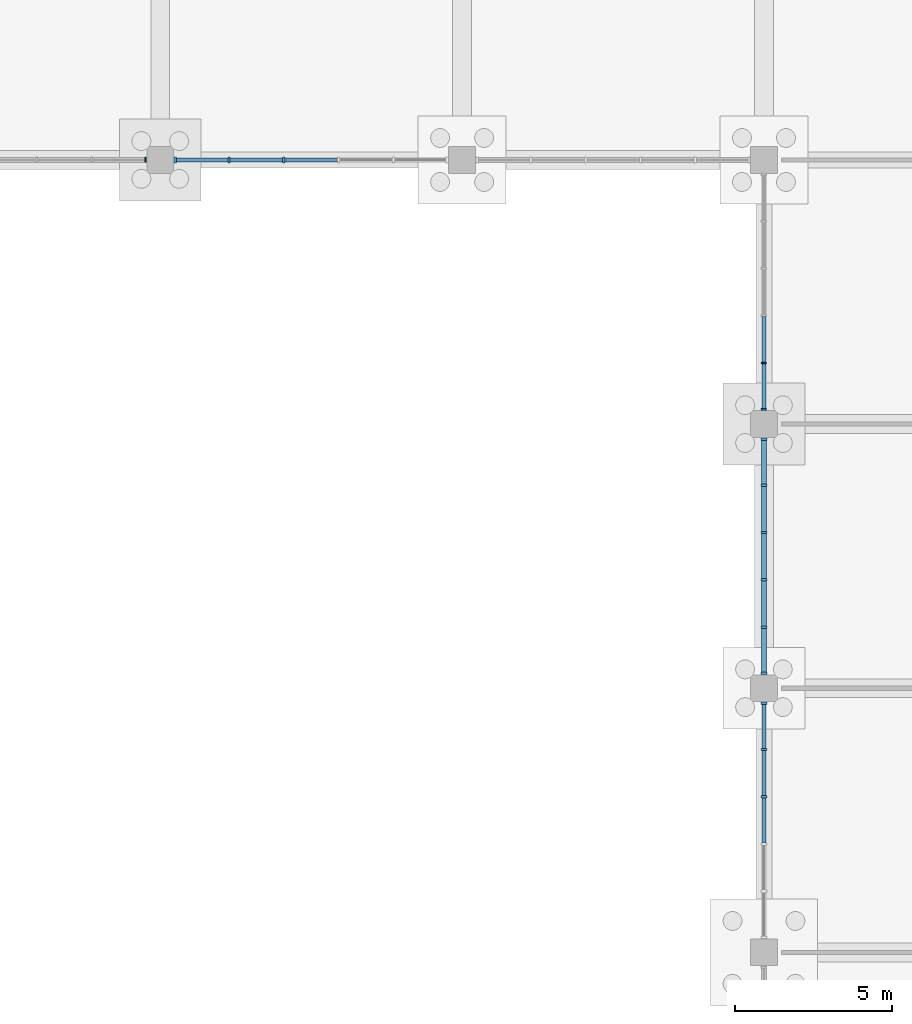
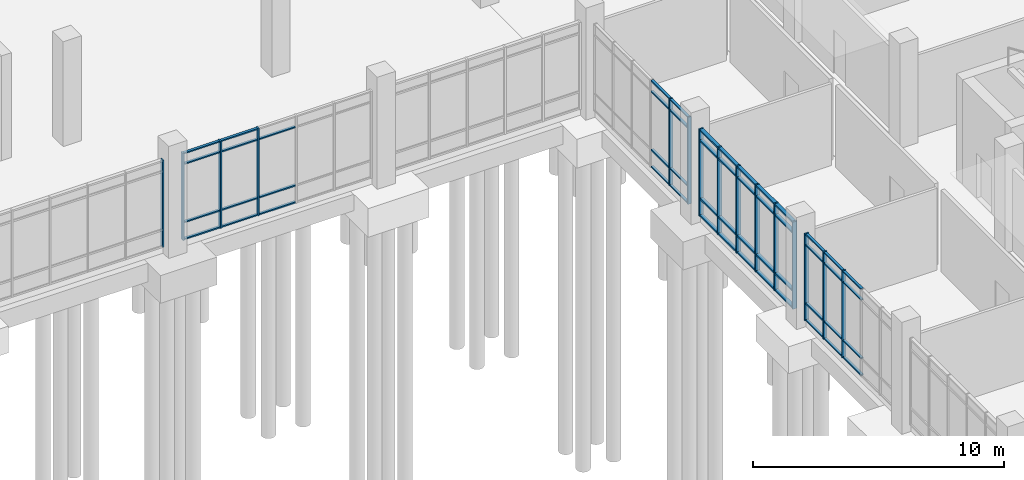
# One storey, part 43 of 136: 66 members, 5 elements without a shape of their own.
"""IFC4 building model written with IfcOpenShell, lengths in metres."""

from ifc_helpers import new_model, si_unit, direction, frame, origin, origin_2d, place, context, subcontext, project, spatial, rectangle, extrude, material, material_profile, profile_set, type_object, element, aggregate, save


model = new_model("IFC4")

# Units and contexts
model_context = context("Model", 3, precision=1e-05, world=origin(), true_north=direction((0.0, 1.0)))
body_context = subcontext(model_context, "Body", "Model", "MODEL_VIEW")
ifc_project = project(units=[si_unit("LENGTHUNIT", "METRE"), si_unit("AREAUNIT", "SQUARE_METRE"), si_unit("VOLUMEUNIT", "CUBIC_METRE"), si_unit("PLANEANGLEUNIT", "RADIAN"), si_unit("MASSUNIT", "GRAM", prefix="KILO")], contexts=[model_context])

# Site, building, storey
site_placement = place(None, origin())
site = spatial("IfcSite", under=ifc_project, at=site_placement, CompositionType="ELEMENT")
building_placement = place(site_placement, origin())
building = spatial("IfcBuilding", under=site, at=building_placement, Name="Oolite Switchyard Hospital", CompositionType="ELEMENT")
storey_placement = place(building_placement, origin())
storey = spatial("IfcBuildingStorey", under=building, at=storey_placement, Name="L00", CompositionType="ELEMENT", Elevation=0.0)

# Curtain wall, member
ifc_material_1 = material(Name="Thermally broken aluminum frame with laminated impact glazing", Category="aluminium")
curtain_wall_type_1 = type_object("IfcCurtainWallType", Name="CW-UNIT-96X51", PredefinedType="USERDEFINED", material=ifc_material_1)
curtain_wall_1_placement = place(storey_placement, origin())
curtain_wall_1 = element("IfcCurtainWall", 1, at=curtain_wall_1_placement, inside=storey, type_object=curtain_wall_type_1, Name="L00 Unitised Curtain Wall 33", ObjectType="UNITISED", PredefinedType="USERDEFINED")
ifc_material_2 = material(Name="Aluminium 6063-T6", Category="aluminium")
ifc_material_profile_1 = material_profile(ifc_material_2, rectangle(XDim=0.159912109375, YDim=0.06005859375, at=origin_2d()), Name="CWM60X160")
ifc_profile_set_1 = profile_set([ifc_material_profile_1], Name="Aluminium 6063-T6")
member_type_1 = type_object("IfcMemberType", Name="CW-MUL-180", PredefinedType="MULLION", material=ifc_profile_set_1)
member_1_placement = place(storey_placement, frame((95.530029296875, 84.0, 0.0), z_axis=(0.0, 0.0, 1.0), x_axis=(0.0, -1.0, 0.0)))
member_1 = element("IfcMember", 2, at=member_1_placement, type_object=member_type_1, Name="CW-01 mullion 1", PredefinedType="MULLION", context=body_context, shape_type="SweptSolid", body=[
    extrude(rectangle(XDim=0.159912109375, YDim=0.06005859375, at=origin_2d()), origin(), (0.0, 0.0, 1.0), 4.239990234375),
])
aggregate(curtain_wall_1, [member_1])

# Curtain wall, members
curtain_wall_type_2 = type_object("IfcCurtainWallType", Name="CW-UNIT-84X51", PredefinedType="USERDEFINED", material=ifc_material_1)
curtain_wall_2_placement = place(storey_placement, origin())
curtain_wall_2 = element("IfcCurtainWall", 3, at=curtain_wall_2_placement, inside=storey, type_object=curtain_wall_type_2, Name="L00 Unitised Curtain Wall 72", ObjectType="UNITISED", PredefinedType="USERDEFINED")
member_2_placement = place(storey_placement, frame((115.199951171875, 76.070068359375, 0.0), z_axis=(0.0, 0.0, 1.0), x_axis=(-1.0, 0.0, 0.0)))
member_2 = element("IfcMember", 4, at=member_2_placement, type_object=member_type_1, Name="CW-06 mullion 1", PredefinedType="MULLION", context=body_context, shape_type="SweptSolid", body=[
    extrude(rectangle(XDim=0.159912109375, YDim=0.06005859375, at=origin_2d()), origin(), (0.0, 0.0, 1.0), 4.239990234375),
])
member_3_placement = place(storey_placement, frame((115.199951171875, 77.5439453125, 0.0), z_axis=(0.0, 0.0, 1.0), x_axis=(-1.0, 0.0, 0.0)))
member_3 = element("IfcMember", 5, at=member_3_placement, type_object=member_type_1, Name="CW-06 mullion 2", PredefinedType="MULLION", context=body_context, shape_type="SweptSolid", body=[
    extrude(rectangle(XDim=0.159912109375, YDim=0.06005859375, at=origin_2d()), origin(), (0.0, 0.0, 1.0), 4.239990234375),
])

curtain_wall_3_placement = place(storey_placement, origin())
curtain_wall_3 = element("IfcCurtainWall", 6, at=curtain_wall_3_placement, inside=storey, type_object=curtain_wall_type_1, Name="L00 Unitised Curtain Wall 34", ObjectType="UNITISED", PredefinedType="USERDEFINED")
ifc_material_profile_2 = material_profile(ifc_material_2, rectangle(XDim=0.179931640625, YDim=0.070068359375, at=origin_2d()), Name="CWM70X180")
ifc_profile_set_2 = profile_set([ifc_material_profile_2], Name="Aluminium 6063-T6")
member_type_2 = type_object("IfcMemberType", Name="CW-MUL-220", PredefinedType="MULLION", material=ifc_profile_set_2)
member_4_placement = place(storey_placement, frame((99.927978515625, 84.0, 0.0), z_axis=(0.0, 0.0, 1.0), x_axis=(0.0, -1.0, 0.0)))
member_4 = element("IfcMember", 7, at=member_4_placement, type_object=member_type_2, Name="CW-01 mullion 4", PredefinedType="MULLION", context=body_context, shape_type="SweptSolid", body=[
    extrude(rectangle(XDim=0.179931640625, YDim=0.070068359375, at=origin_2d()), origin(), (0.0, 0.0, 1.0), 4.239990234375),
])
member_5_placement = place(storey_placement, frame((98.18408203125, 84.0, 0.0), z_axis=(0.0, 0.0, 1.0), x_axis=(0.0, -1.0, 0.0)))
member_5 = element("IfcMember", 8, at=member_5_placement, type_object=member_type_2, Name="CW-01 mullion 5", PredefinedType="MULLION", context=body_context, shape_type="SweptSolid", body=[
    extrude(rectangle(XDim=0.179931640625, YDim=0.070068359375, at=origin_2d()), origin(), (0.0, 0.0, 1.0), 4.239990234375),
])
member_6_placement = place(storey_placement, frame((96.47509765625, 84.0, 0.0), z_axis=(0.0, 0.0, 1.0), x_axis=(0.0, -1.0, 0.0)))
member_6 = element("IfcMember", 9, at=member_6_placement, type_object=member_type_2, Name="CW-01 mullion 6", PredefinedType="MULLION", context=body_context, shape_type="SweptSolid", body=[
    extrude(rectangle(XDim=0.179931640625, YDim=0.070068359375, at=origin_2d()), origin(), (0.0, 0.0, 1.0), 4.239990234375),
])

curtain_wall_4_placement = place(storey_placement, origin())
curtain_wall_4 = element("IfcCurtainWall", 10, at=curtain_wall_4_placement, inside=storey, type_object=curtain_wall_type_2, Name="L00 Unitised Curtain Wall 70", ObjectType="UNITISED", PredefinedType="USERDEFINED")
member_7_placement = place(storey_placement, frame((115.199951171875, 63.751953125, 0.0), z_axis=(0.0, 0.0, 1.0), x_axis=(-1.0, 0.0, 0.0)))
member_7 = element("IfcMember", 11, at=member_7_placement, type_object=member_type_2, Name="CW-06 mullion 4", PredefinedType="MULLION", context=body_context, shape_type="SweptSolid", body=[
    extrude(rectangle(XDim=0.179931640625, YDim=0.070068359375, at=origin_2d()), origin(), (0.0, 0.0, 1.0), 4.239990234375),
])
member_8_placement = place(storey_placement, frame((115.199951171875, 65.256103515625, 0.0), z_axis=(0.0, 0.0, 1.0), x_axis=(-1.0, 0.0, 0.0)))
member_8 = element("IfcMember", 12, at=member_8_placement, type_object=member_type_2, Name="CW-06 mullion 5", PredefinedType="MULLION", context=body_context, shape_type="SweptSolid", body=[
    extrude(rectangle(XDim=0.179931640625, YDim=0.070068359375, at=origin_2d()), origin(), (0.0, 0.0, 1.0), 4.239990234375),
])
member_9_placement = place(storey_placement, frame((115.199951171875, 66.72509765625, 0.0), z_axis=(0.0, 0.0, 1.0), x_axis=(-1.0, 0.0, 0.0)))
member_9 = element("IfcMember", 13, at=member_9_placement, type_object=member_type_2, Name="CW-06 mullion 6", PredefinedType="MULLION", context=body_context, shape_type="SweptSolid", body=[
    extrude(rectangle(XDim=0.179931640625, YDim=0.070068359375, at=origin_2d()), origin(), (0.0, 0.0, 1.0), 4.239990234375),
])

curtain_wall_5_placement = place(storey_placement, origin())
curtain_wall_5 = element("IfcCurtainWall", 14, at=curtain_wall_5_placement, inside=storey, type_object=curtain_wall_type_2, Name="L00 Unitised Curtain Wall 71", ObjectType="UNITISED", PredefinedType="USERDEFINED")
ifc_material_profile_3 = material_profile(ifc_material_2, rectangle(XDim=0.199951171875, YDim=0.074951171875, at=origin_2d()), Name="CWM75X200")
ifc_profile_set_3 = profile_set([ifc_material_profile_3], Name="Aluminium 6063-T6")
member_type_3 = type_object("IfcMemberType", Name="CW-MUL-260", PredefinedType="MULLION", material=ifc_profile_set_3)
member_10_placement = place(storey_placement, frame((115.199951171875, 67.677490234375, 0.0), z_axis=(0.0, 0.0, 1.0), x_axis=(-1.0, 0.0, 0.0)))
member_10 = element("IfcMember", 15, at=member_10_placement, type_object=member_type_3, Name="CW-06 mullion 1", PredefinedType="MULLION", context=body_context, shape_type="SweptSolid", body=[
    extrude(rectangle(XDim=0.199951171875, YDim=0.074951171875, at=origin_2d()), origin(), (0.0, 0.0, 1.0), 4.239990234375),
])
member_11_placement = place(storey_placement, frame((115.199951171875, 69.14404296875, 0.0), z_axis=(0.0, 0.0, 1.0), x_axis=(-1.0, 0.0, 0.0)))
member_11 = element("IfcMember", 16, at=member_11_placement, type_object=member_type_3, Name="CW-06 mullion 2", PredefinedType="MULLION", context=body_context, shape_type="SweptSolid", body=[
    extrude(rectangle(XDim=0.199951171875, YDim=0.074951171875, at=origin_2d()), origin(), (0.0, 0.0, 1.0), 4.239990234375),
])
member_12_placement = place(storey_placement, frame((115.199951171875, 70.64794921875, 0.0), z_axis=(0.0, 0.0, 1.0), x_axis=(-1.0, 0.0, 0.0)))
member_12 = element("IfcMember", 17, at=member_12_placement, type_object=member_type_3, Name="CW-06 mullion 3", PredefinedType="MULLION", context=body_context, shape_type="SweptSolid", body=[
    extrude(rectangle(XDim=0.199951171875, YDim=0.074951171875, at=origin_2d()), origin(), (0.0, 0.0, 1.0), 4.239990234375),
])
member_13_placement = place(storey_placement, frame((115.199951171875, 72.152099609375, 0.0), z_axis=(0.0, 0.0, 1.0), x_axis=(-1.0, 0.0, 0.0)))
member_13 = element("IfcMember", 18, at=member_13_placement, type_object=member_type_3, Name="CW-06 mullion 4", PredefinedType="MULLION", context=body_context, shape_type="SweptSolid", body=[
    extrude(rectangle(XDim=0.199951171875, YDim=0.074951171875, at=origin_2d()), origin(), (0.0, 0.0, 1.0), 4.239990234375),
])
member_14_placement = place(storey_placement, frame((115.199951171875, 73.656005859375, 0.0), z_axis=(0.0, 0.0, 1.0), x_axis=(-1.0, 0.0, 0.0)))
member_14 = element("IfcMember", 19, at=member_14_placement, type_object=member_type_3, Name="CW-06 mullion 5", PredefinedType="MULLION", context=body_context, shape_type="SweptSolid", body=[
    extrude(rectangle(XDim=0.199951171875, YDim=0.074951171875, at=origin_2d()), origin(), (0.0, 0.0, 1.0), 4.239990234375),
])
member_15_placement = place(storey_placement, frame((115.199951171875, 75.12255859375, 0.0), z_axis=(0.0, 0.0, 1.0), x_axis=(-1.0, 0.0, 0.0)))
member_15 = element("IfcMember", 20, at=member_15_placement, type_object=member_type_3, Name="CW-06 mullion 6", PredefinedType="MULLION", context=body_context, shape_type="SweptSolid", body=[
    extrude(rectangle(XDim=0.199951171875, YDim=0.074951171875, at=origin_2d()), origin(), (0.0, 0.0, 1.0), 4.239990234375),
])

# Member
ifc_material_profile_4 = material_profile(ifc_material_2, rectangle(XDim=0.1201171875, YDim=0.06005859375, at=origin_2d()), Name="CWT60X120")
ifc_profile_set_4 = profile_set([ifc_material_profile_4], Name="Aluminium 6063-T6")
member_type_4 = type_object("IfcMemberType", Name="CW-TRN-150", PredefinedType="USERDEFINED", material=ifc_profile_set_4)
member_16_placement = place(storey_placement, frame((101.636962890625, 84.0, 0.030029296875), z_axis=(-1.0, 0.0, 0.0), x_axis=(0.0, -1.0, 0.0)))
member_16 = element("IfcMember", 21, at=member_16_placement, type_object=member_type_4, Name="CW-01 transom 3.1", ObjectType="TRANSOM", PredefinedType="USERDEFINED", context=body_context, shape_type="SweptSolid", body=[
    extrude(rectangle(XDim=0.1201171875, YDim=0.06005859375, at=origin_2d()), origin(), (0.0, 0.0, 1.0), 1.674072265625),
])

member_17_placement = place(storey_placement, frame((101.636962890625, 84.0, 0.85009765625), z_axis=(-1.0, 0.0, 0.0), x_axis=(0.0, -1.0, 0.0)))
member_17 = element("IfcMember", 22, at=member_17_placement, type_object=member_type_4, Name="CW-01 transom 3.2", ObjectType="TRANSOM", PredefinedType="USERDEFINED", context=body_context, shape_type="SweptSolid", body=[
    extrude(rectangle(XDim=0.1201171875, YDim=0.06005859375, at=origin_2d()), origin(), (0.0, 0.0, 1.0), 1.674072265625),
])

member_18_placement = place(storey_placement, frame((101.636962890625, 84.0, 3.68994140625), z_axis=(-1.0, 0.0, 0.0), x_axis=(0.0, -1.0, 0.0)))
member_18 = element("IfcMember", 23, at=member_18_placement, type_object=member_type_4, Name="CW-01 transom 3.3", ObjectType="TRANSOM", PredefinedType="USERDEFINED", context=body_context, shape_type="SweptSolid", body=[
    extrude(rectangle(XDim=0.1201171875, YDim=0.06005859375, at=origin_2d()), origin(), (0.0, 0.0, 1.0), 1.674072265625),
])

member_19_placement = place(storey_placement, frame((99.89306640625, 84.0, 0.030029296875), z_axis=(-1.0, 0.0, 0.0), x_axis=(0.0, -1.0, 0.0)))
member_19 = element("IfcMember", 24, at=member_19_placement, type_object=member_type_4, Name="CW-01 transom 4.1", ObjectType="TRANSOM", PredefinedType="USERDEFINED", context=body_context, shape_type="SweptSolid", body=[
    extrude(rectangle(XDim=0.1201171875, YDim=0.06005859375, at=origin_2d()), origin(), (0.0, 0.0, 1.0), 1.674072265625),
])

member_20_placement = place(storey_placement, frame((99.89306640625, 84.0, 0.85009765625), z_axis=(-1.0, 0.0, 0.0), x_axis=(0.0, -1.0, 0.0)))
member_20 = element("IfcMember", 25, at=member_20_placement, type_object=member_type_4, Name="CW-01 transom 4.2", ObjectType="TRANSOM", PredefinedType="USERDEFINED", context=body_context, shape_type="SweptSolid", body=[
    extrude(rectangle(XDim=0.1201171875, YDim=0.06005859375, at=origin_2d()), origin(), (0.0, 0.0, 1.0), 1.674072265625),
])

member_21_placement = place(storey_placement, frame((99.89306640625, 84.0, 3.68994140625), z_axis=(-1.0, 0.0, 0.0), x_axis=(0.0, -1.0, 0.0)))
member_21 = element("IfcMember", 26, at=member_21_placement, type_object=member_type_4, Name="CW-01 transom 4.3", ObjectType="TRANSOM", PredefinedType="USERDEFINED", context=body_context, shape_type="SweptSolid", body=[
    extrude(rectangle(XDim=0.1201171875, YDim=0.06005859375, at=origin_2d()), origin(), (0.0, 0.0, 1.0), 1.674072265625),
])

member_22_placement = place(storey_placement, frame((99.89306640625, 84.0, 4.2099609375), z_axis=(-1.0, 0.0, 0.0), x_axis=(0.0, -1.0, 0.0)))
member_22 = element("IfcMember", 27, at=member_22_placement, type_object=member_type_4, Name="CW-01 transom 4.4", ObjectType="TRANSOM", PredefinedType="USERDEFINED", context=body_context, shape_type="SweptSolid", body=[
    extrude(rectangle(XDim=0.1201171875, YDim=0.06005859375, at=origin_2d()), origin(), (0.0, 0.0, 1.0), 1.674072265625),
])

member_23_placement = place(storey_placement, frame((98.14892578125, 84.0, 0.030029296875), z_axis=(-1.0, 0.0, 0.0), x_axis=(0.0, -1.0, 0.0)))
member_23 = element("IfcMember", 28, at=member_23_placement, type_object=member_type_4, Name="CW-01 transom 5.1", ObjectType="TRANSOM", PredefinedType="USERDEFINED", context=body_context, shape_type="SweptSolid", body=[
    extrude(rectangle(XDim=0.1201171875, YDim=0.06005859375, at=origin_2d()), origin(), (0.0, 0.0, 1.0), 1.638916015625),
])

member_24_placement = place(storey_placement, frame((98.14892578125, 84.0, 0.85009765625), z_axis=(-1.0, 0.0, 0.0), x_axis=(0.0, -1.0, 0.0)))
member_24 = element("IfcMember", 29, at=member_24_placement, type_object=member_type_4, Name="CW-01 transom 5.2", ObjectType="TRANSOM", PredefinedType="USERDEFINED", context=body_context, shape_type="SweptSolid", body=[
    extrude(rectangle(XDim=0.1201171875, YDim=0.06005859375, at=origin_2d()), origin(), (0.0, 0.0, 1.0), 1.638916015625),
])

member_25_placement = place(storey_placement, frame((98.14892578125, 84.0, 3.68994140625), z_axis=(-1.0, 0.0, 0.0), x_axis=(0.0, -1.0, 0.0)))
member_25 = element("IfcMember", 30, at=member_25_placement, type_object=member_type_4, Name="CW-01 transom 5.3", ObjectType="TRANSOM", PredefinedType="USERDEFINED", context=body_context, shape_type="SweptSolid", body=[
    extrude(rectangle(XDim=0.1201171875, YDim=0.06005859375, at=origin_2d()), origin(), (0.0, 0.0, 1.0), 1.638916015625),
])

member_26_placement = place(storey_placement, frame((98.14892578125, 84.0, 4.2099609375), z_axis=(-1.0, 0.0, 0.0), x_axis=(0.0, -1.0, 0.0)))
member_26 = element("IfcMember", 31, at=member_26_placement, type_object=member_type_4, Name="CW-01 transom 5.4", ObjectType="TRANSOM", PredefinedType="USERDEFINED", context=body_context, shape_type="SweptSolid", body=[
    extrude(rectangle(XDim=0.1201171875, YDim=0.06005859375, at=origin_2d()), origin(), (0.0, 0.0, 1.0), 1.638916015625),
])

aggregate(curtain_wall_3, [member_4, member_5, member_6, member_16, member_17, member_18, member_19, member_20, member_21, member_22, member_23, member_24, member_25, member_26])

member_27_placement = place(storey_placement, frame((115.199951171875, 62.282958984375, 0.030029296875), z_axis=(0.0, 1.0, 0.0), x_axis=(-1.0, 0.0, 0.0)))
member_27 = element("IfcMember", 32, at=member_27_placement, type_object=member_type_4, Name="CW-06 transom 3.1", ObjectType="TRANSOM", PredefinedType="USERDEFINED", context=body_context, shape_type="SweptSolid", body=[
    extrude(rectangle(XDim=0.1201171875, YDim=0.06005859375, at=origin_2d()), origin(), (0.0, 0.0, 1.0), 1.43408203125),
])

member_28_placement = place(storey_placement, frame((115.199951171875, 62.282958984375, 0.85009765625), z_axis=(0.0, 1.0, 0.0), x_axis=(-1.0, 0.0, 0.0)))
member_28 = element("IfcMember", 33, at=member_28_placement, type_object=member_type_4, Name="CW-06 transom 3.2", ObjectType="TRANSOM", PredefinedType="USERDEFINED", context=body_context, shape_type="SweptSolid", body=[
    extrude(rectangle(XDim=0.1201171875, YDim=0.06005859375, at=origin_2d()), origin(), (0.0, 0.0, 1.0), 1.43408203125),
])

member_29_placement = place(storey_placement, frame((115.199951171875, 62.282958984375, 3.68994140625), z_axis=(0.0, 1.0, 0.0), x_axis=(-1.0, 0.0, 0.0)))
member_29 = element("IfcMember", 34, at=member_29_placement, type_object=member_type_4, Name="CW-06 transom 3.3", ObjectType="TRANSOM", PredefinedType="USERDEFINED", context=body_context, shape_type="SweptSolid", body=[
    extrude(rectangle(XDim=0.1201171875, YDim=0.06005859375, at=origin_2d()), origin(), (0.0, 0.0, 1.0), 1.43408203125),
])

member_30_placement = place(storey_placement, frame((115.199951171875, 62.282958984375, 4.2099609375), z_axis=(0.0, 1.0, 0.0), x_axis=(-1.0, 0.0, 0.0)))
member_30 = element("IfcMember", 35, at=member_30_placement, type_object=member_type_4, Name="CW-06 transom 3.4", ObjectType="TRANSOM", PredefinedType="USERDEFINED", context=body_context, shape_type="SweptSolid", body=[
    extrude(rectangle(XDim=0.1201171875, YDim=0.06005859375, at=origin_2d()), origin(), (0.0, 0.0, 1.0), 1.43408203125),
])

member_31_placement = place(storey_placement, frame((115.199951171875, 63.787109375, 0.030029296875), z_axis=(0.0, 1.0, 0.0), x_axis=(-1.0, 0.0, 0.0)))
member_31 = element("IfcMember", 36, at=member_31_placement, type_object=member_type_4, Name="CW-06 transom 4.1", ObjectType="TRANSOM", PredefinedType="USERDEFINED", context=body_context, shape_type="SweptSolid", body=[
    extrude(rectangle(XDim=0.1201171875, YDim=0.06005859375, at=origin_2d()), origin(), (0.0, 0.0, 1.0), 1.433837890625),
])

member_32_placement = place(storey_placement, frame((115.199951171875, 63.787109375, 0.85009765625), z_axis=(0.0, 1.0, 0.0), x_axis=(-1.0, 0.0, 0.0)))
member_32 = element("IfcMember", 37, at=member_32_placement, type_object=member_type_4, Name="CW-06 transom 4.2", ObjectType="TRANSOM", PredefinedType="USERDEFINED", context=body_context, shape_type="SweptSolid", body=[
    extrude(rectangle(XDim=0.1201171875, YDim=0.06005859375, at=origin_2d()), origin(), (0.0, 0.0, 1.0), 1.433837890625),
])

member_33_placement = place(storey_placement, frame((115.199951171875, 63.787109375, 3.68994140625), z_axis=(0.0, 1.0, 0.0), x_axis=(-1.0, 0.0, 0.0)))
member_33 = element("IfcMember", 38, at=member_33_placement, type_object=member_type_4, Name="CW-06 transom 4.3", ObjectType="TRANSOM", PredefinedType="USERDEFINED", context=body_context, shape_type="SweptSolid", body=[
    extrude(rectangle(XDim=0.1201171875, YDim=0.06005859375, at=origin_2d()), origin(), (0.0, 0.0, 1.0), 1.433837890625),
])

member_34_placement = place(storey_placement, frame((115.199951171875, 63.787109375, 4.2099609375), z_axis=(0.0, 1.0, 0.0), x_axis=(-1.0, 0.0, 0.0)))
member_34 = element("IfcMember", 39, at=member_34_placement, type_object=member_type_4, Name="CW-06 transom 4.4", ObjectType="TRANSOM", PredefinedType="USERDEFINED", context=body_context, shape_type="SweptSolid", body=[
    extrude(rectangle(XDim=0.1201171875, YDim=0.06005859375, at=origin_2d()), origin(), (0.0, 0.0, 1.0), 1.433837890625),
])

member_35_placement = place(storey_placement, frame((115.199951171875, 65.291015625, 0.030029296875), z_axis=(0.0, 1.0, 0.0), x_axis=(-1.0, 0.0, 0.0)))
member_35 = element("IfcMember", 40, at=member_35_placement, type_object=member_type_4, Name="CW-06 transom 5.1", ObjectType="TRANSOM", PredefinedType="USERDEFINED", context=body_context, shape_type="SweptSolid", body=[
    extrude(rectangle(XDim=0.1201171875, YDim=0.06005859375, at=origin_2d()), origin(), (0.0, 0.0, 1.0), 1.39892578125),
])

member_36_placement = place(storey_placement, frame((115.199951171875, 65.291015625, 0.85009765625), z_axis=(0.0, 1.0, 0.0), x_axis=(-1.0, 0.0, 0.0)))
member_36 = element("IfcMember", 41, at=member_36_placement, type_object=member_type_4, Name="CW-06 transom 5.2", ObjectType="TRANSOM", PredefinedType="USERDEFINED", context=body_context, shape_type="SweptSolid", body=[
    extrude(rectangle(XDim=0.1201171875, YDim=0.06005859375, at=origin_2d()), origin(), (0.0, 0.0, 1.0), 1.39892578125),
])

member_37_placement = place(storey_placement, frame((115.199951171875, 65.291015625, 3.68994140625), z_axis=(0.0, 1.0, 0.0), x_axis=(-1.0, 0.0, 0.0)))
member_37 = element("IfcMember", 42, at=member_37_placement, type_object=member_type_4, Name="CW-06 transom 5.3", ObjectType="TRANSOM", PredefinedType="USERDEFINED", context=body_context, shape_type="SweptSolid", body=[
    extrude(rectangle(XDim=0.1201171875, YDim=0.06005859375, at=origin_2d()), origin(), (0.0, 0.0, 1.0), 1.39892578125),
])

member_38_placement = place(storey_placement, frame((115.199951171875, 65.291015625, 4.2099609375), z_axis=(0.0, 1.0, 0.0), x_axis=(-1.0, 0.0, 0.0)))
member_38 = element("IfcMember", 43, at=member_38_placement, type_object=member_type_4, Name="CW-06 transom 5.4", ObjectType="TRANSOM", PredefinedType="USERDEFINED", context=body_context, shape_type="SweptSolid", body=[
    extrude(rectangle(XDim=0.1201171875, YDim=0.06005859375, at=origin_2d()), origin(), (0.0, 0.0, 1.0), 1.39892578125),
])

aggregate(curtain_wall_4, [member_7, member_8, member_9, member_27, member_28, member_29, member_30, member_31, member_32, member_33, member_34, member_35, member_36, member_37, member_38])

member_39_placement = place(storey_placement, frame((115.199951171875, 76.10009765625, 0.030029296875), z_axis=(0.0, 1.0, 0.0), x_axis=(-1.0, 0.0, 0.0)))
member_39 = element("IfcMember", 44, at=member_39_placement, type_object=member_type_4, Name="CW-06 transom 1.1", ObjectType="TRANSOM", PredefinedType="USERDEFINED", context=body_context, shape_type="SweptSolid", body=[
    extrude(rectangle(XDim=0.1201171875, YDim=0.06005859375, at=origin_2d()), origin(), (0.0, 0.0, 1.0), 1.413818359375),
])

member_40_placement = place(storey_placement, frame((115.199951171875, 76.10009765625, 0.85009765625), z_axis=(0.0, 1.0, 0.0), x_axis=(-1.0, 0.0, 0.0)))
member_40 = element("IfcMember", 45, at=member_40_placement, type_object=member_type_4, Name="CW-06 transom 1.2", ObjectType="TRANSOM", PredefinedType="USERDEFINED", context=body_context, shape_type="SweptSolid", body=[
    extrude(rectangle(XDim=0.1201171875, YDim=0.06005859375, at=origin_2d()), origin(), (0.0, 0.0, 1.0), 1.413818359375),
])

member_41_placement = place(storey_placement, frame((115.199951171875, 76.10009765625, 3.68994140625), z_axis=(0.0, 1.0, 0.0), x_axis=(-1.0, 0.0, 0.0)))
member_41 = element("IfcMember", 46, at=member_41_placement, type_object=member_type_4, Name="CW-06 transom 1.3", ObjectType="TRANSOM", PredefinedType="USERDEFINED", context=body_context, shape_type="SweptSolid", body=[
    extrude(rectangle(XDim=0.1201171875, YDim=0.06005859375, at=origin_2d()), origin(), (0.0, 0.0, 1.0), 1.413818359375),
])

member_42_placement = place(storey_placement, frame((115.199951171875, 76.10009765625, 4.2099609375), z_axis=(0.0, 1.0, 0.0), x_axis=(-1.0, 0.0, 0.0)))
member_42 = element("IfcMember", 47, at=member_42_placement, type_object=member_type_4, Name="CW-06 transom 1.4", ObjectType="TRANSOM", PredefinedType="USERDEFINED", context=body_context, shape_type="SweptSolid", body=[
    extrude(rectangle(XDim=0.1201171875, YDim=0.06005859375, at=origin_2d()), origin(), (0.0, 0.0, 1.0), 1.413818359375),
])

member_43_placement = place(storey_placement, frame((115.199951171875, 77.573974609375, 0.030029296875), z_axis=(0.0, 1.0, 0.0), x_axis=(-1.0, 0.0, 0.0)))
member_43 = element("IfcMember", 48, at=member_43_placement, type_object=member_type_4, Name="CW-06 transom 2.1", ObjectType="TRANSOM", PredefinedType="USERDEFINED", context=body_context, shape_type="SweptSolid", body=[
    extrude(rectangle(XDim=0.1201171875, YDim=0.06005859375, at=origin_2d()), origin(), (0.0, 0.0, 1.0), 1.444091796875),
])

member_44_placement = place(storey_placement, frame((115.199951171875, 77.573974609375, 0.85009765625), z_axis=(0.0, 1.0, 0.0), x_axis=(-1.0, 0.0, 0.0)))
member_44 = element("IfcMember", 49, at=member_44_placement, type_object=member_type_4, Name="CW-06 transom 2.2", ObjectType="TRANSOM", PredefinedType="USERDEFINED", context=body_context, shape_type="SweptSolid", body=[
    extrude(rectangle(XDim=0.1201171875, YDim=0.06005859375, at=origin_2d()), origin(), (0.0, 0.0, 1.0), 1.444091796875),
])

member_45_placement = place(storey_placement, frame((115.199951171875, 77.573974609375, 3.68994140625), z_axis=(0.0, 1.0, 0.0), x_axis=(-1.0, 0.0, 0.0)))
member_45 = element("IfcMember", 50, at=member_45_placement, type_object=member_type_4, Name="CW-06 transom 2.3", ObjectType="TRANSOM", PredefinedType="USERDEFINED", context=body_context, shape_type="SweptSolid", body=[
    extrude(rectangle(XDim=0.1201171875, YDim=0.06005859375, at=origin_2d()), origin(), (0.0, 0.0, 1.0), 1.444091796875),
])

member_46_placement = place(storey_placement, frame((115.199951171875, 77.573974609375, 4.2099609375), z_axis=(0.0, 1.0, 0.0), x_axis=(-1.0, 0.0, 0.0)))
member_46 = element("IfcMember", 51, at=member_46_placement, type_object=member_type_4, Name="CW-06 transom 2.4", ObjectType="TRANSOM", PredefinedType="USERDEFINED", context=body_context, shape_type="SweptSolid", body=[
    extrude(rectangle(XDim=0.1201171875, YDim=0.06005859375, at=origin_2d()), origin(), (0.0, 0.0, 1.0), 1.444091796875),
])

aggregate(curtain_wall_2, [member_2, member_3, member_39, member_40, member_41, member_42, member_43, member_44, member_45, member_46])

ifc_material_profile_5 = material_profile(ifc_material_2, rectangle(XDim=0.159912109375, YDim=0.074951171875, at=origin_2d()), Name="CWT75X160")
ifc_profile_set_5 = profile_set([ifc_material_profile_5], Name="Aluminium 6063-T6")
member_type_5 = type_object("IfcMemberType", Name="CW-TRN-180", PredefinedType="USERDEFINED", material=ifc_profile_set_5)
member_47_placement = place(storey_placement, frame((115.199951171875, 67.715087890625, 0.03759765625), z_axis=(0.0, 1.0, 0.0), x_axis=(-1.0, 0.0, 0.0)))
member_47 = element("IfcMember", 52, at=member_47_placement, type_object=member_type_5, Name="CW-06 transom 1.1", ObjectType="TRANSOM", PredefinedType="USERDEFINED", context=body_context, shape_type="SweptSolid", body=[
    extrude(rectangle(XDim=0.159912109375, YDim=0.074951171875, at=origin_2d()), origin(), (0.0, 0.0, 1.0), 1.391357421875),
])

member_48_placement = place(storey_placement, frame((115.199951171875, 67.715087890625, 0.85009765625), z_axis=(0.0, 1.0, 0.0), x_axis=(-1.0, 0.0, 0.0)))
member_48 = element("IfcMember", 53, at=member_48_placement, type_object=member_type_5, Name="CW-06 transom 1.2", ObjectType="TRANSOM", PredefinedType="USERDEFINED", context=body_context, shape_type="SweptSolid", body=[
    extrude(rectangle(XDim=0.159912109375, YDim=0.074951171875, at=origin_2d()), origin(), (0.0, 0.0, 1.0), 1.391357421875),
])

member_49_placement = place(storey_placement, frame((115.199951171875, 67.715087890625, 3.68994140625), z_axis=(0.0, 1.0, 0.0), x_axis=(-1.0, 0.0, 0.0)))
member_49 = element("IfcMember", 54, at=member_49_placement, type_object=member_type_5, Name="CW-06 transom 1.3", ObjectType="TRANSOM", PredefinedType="USERDEFINED", context=body_context, shape_type="SweptSolid", body=[
    extrude(rectangle(XDim=0.159912109375, YDim=0.074951171875, at=origin_2d()), origin(), (0.0, 0.0, 1.0), 1.391357421875),
])

member_50_placement = place(storey_placement, frame((115.199951171875, 67.715087890625, 4.202392578125), z_axis=(0.0, 1.0, 0.0), x_axis=(-1.0, 0.0, 0.0)))
member_50 = element("IfcMember", 55, at=member_50_placement, type_object=member_type_5, Name="CW-06 transom 1.4", ObjectType="TRANSOM", PredefinedType="USERDEFINED", context=body_context, shape_type="SweptSolid", body=[
    extrude(rectangle(XDim=0.159912109375, YDim=0.074951171875, at=origin_2d()), origin(), (0.0, 0.0, 1.0), 1.391357421875),
])

member_51_placement = place(storey_placement, frame((115.199951171875, 69.181396484375, 0.03759765625), z_axis=(0.0, 1.0, 0.0), x_axis=(-1.0, 0.0, 0.0)))
member_51 = element("IfcMember", 56, at=member_51_placement, type_object=member_type_5, Name="CW-06 transom 2.1", ObjectType="TRANSOM", PredefinedType="USERDEFINED", context=body_context, shape_type="SweptSolid", body=[
    extrude(rectangle(XDim=0.159912109375, YDim=0.074951171875, at=origin_2d()), origin(), (0.0, 0.0, 1.0), 1.42919921875),
])

member_52_placement = place(storey_placement, frame((115.199951171875, 69.181396484375, 0.85009765625), z_axis=(0.0, 1.0, 0.0), x_axis=(-1.0, 0.0, 0.0)))
member_52 = element("IfcMember", 57, at=member_52_placement, type_object=member_type_5, Name="CW-06 transom 2.2", ObjectType="TRANSOM", PredefinedType="USERDEFINED", context=body_context, shape_type="SweptSolid", body=[
    extrude(rectangle(XDim=0.159912109375, YDim=0.074951171875, at=origin_2d()), origin(), (0.0, 0.0, 1.0), 1.42919921875),
])

member_53_placement = place(storey_placement, frame((115.199951171875, 69.181396484375, 3.68994140625), z_axis=(0.0, 1.0, 0.0), x_axis=(-1.0, 0.0, 0.0)))
member_53 = element("IfcMember", 58, at=member_53_placement, type_object=member_type_5, Name="CW-06 transom 2.3", ObjectType="TRANSOM", PredefinedType="USERDEFINED", context=body_context, shape_type="SweptSolid", body=[
    extrude(rectangle(XDim=0.159912109375, YDim=0.074951171875, at=origin_2d()), origin(), (0.0, 0.0, 1.0), 1.42919921875),
])

member_54_placement = place(storey_placement, frame((115.199951171875, 69.181396484375, 4.202392578125), z_axis=(0.0, 1.0, 0.0), x_axis=(-1.0, 0.0, 0.0)))
member_54 = element("IfcMember", 59, at=member_54_placement, type_object=member_type_5, Name="CW-06 transom 2.4", ObjectType="TRANSOM", PredefinedType="USERDEFINED", context=body_context, shape_type="SweptSolid", body=[
    extrude(rectangle(XDim=0.159912109375, YDim=0.074951171875, at=origin_2d()), origin(), (0.0, 0.0, 1.0), 1.42919921875),
])

member_55_placement = place(storey_placement, frame((115.199951171875, 70.685546875, 0.03759765625), z_axis=(0.0, 1.0, 0.0), x_axis=(-1.0, 0.0, 0.0)))
member_55 = element("IfcMember", 60, at=member_55_placement, type_object=member_type_5, Name="CW-06 transom 3.1", ObjectType="TRANSOM", PredefinedType="USERDEFINED", context=body_context, shape_type="SweptSolid", body=[
    extrude(rectangle(XDim=0.159912109375, YDim=0.074951171875, at=origin_2d()), origin(), (0.0, 0.0, 1.0), 1.428955078125),
])

member_56_placement = place(storey_placement, frame((115.199951171875, 70.685546875, 0.85009765625), z_axis=(0.0, 1.0, 0.0), x_axis=(-1.0, 0.0, 0.0)))
member_56 = element("IfcMember", 61, at=member_56_placement, type_object=member_type_5, Name="CW-06 transom 3.2", ObjectType="TRANSOM", PredefinedType="USERDEFINED", context=body_context, shape_type="SweptSolid", body=[
    extrude(rectangle(XDim=0.159912109375, YDim=0.074951171875, at=origin_2d()), origin(), (0.0, 0.0, 1.0), 1.428955078125),
])

member_57_placement = place(storey_placement, frame((115.199951171875, 70.685546875, 3.68994140625), z_axis=(0.0, 1.0, 0.0), x_axis=(-1.0, 0.0, 0.0)))
member_57 = element("IfcMember", 62, at=member_57_placement, type_object=member_type_5, Name="CW-06 transom 3.3", ObjectType="TRANSOM", PredefinedType="USERDEFINED", context=body_context, shape_type="SweptSolid", body=[
    extrude(rectangle(XDim=0.159912109375, YDim=0.074951171875, at=origin_2d()), origin(), (0.0, 0.0, 1.0), 1.428955078125),
])

member_58_placement = place(storey_placement, frame((115.199951171875, 70.685546875, 4.202392578125), z_axis=(0.0, 1.0, 0.0), x_axis=(-1.0, 0.0, 0.0)))
member_58 = element("IfcMember", 63, at=member_58_placement, type_object=member_type_5, Name="CW-06 transom 3.4", ObjectType="TRANSOM", PredefinedType="USERDEFINED", context=body_context, shape_type="SweptSolid", body=[
    extrude(rectangle(XDim=0.159912109375, YDim=0.074951171875, at=origin_2d()), origin(), (0.0, 0.0, 1.0), 1.428955078125),
])

member_59_placement = place(storey_placement, frame((115.199951171875, 72.189453125, 0.03759765625), z_axis=(0.0, 1.0, 0.0), x_axis=(-1.0, 0.0, 0.0)))
member_59 = element("IfcMember", 64, at=member_59_placement, type_object=member_type_5, Name="CW-06 transom 4.1", ObjectType="TRANSOM", PredefinedType="USERDEFINED", context=body_context, shape_type="SweptSolid", body=[
    extrude(rectangle(XDim=0.159912109375, YDim=0.074951171875, at=origin_2d()), origin(), (0.0, 0.0, 1.0), 1.428955078125),
])

member_60_placement = place(storey_placement, frame((115.199951171875, 72.189453125, 0.85009765625), z_axis=(0.0, 1.0, 0.0), x_axis=(-1.0, 0.0, 0.0)))
member_60 = element("IfcMember", 65, at=member_60_placement, type_object=member_type_5, Name="CW-06 transom 4.2", ObjectType="TRANSOM", PredefinedType="USERDEFINED", context=body_context, shape_type="SweptSolid", body=[
    extrude(rectangle(XDim=0.159912109375, YDim=0.074951171875, at=origin_2d()), origin(), (0.0, 0.0, 1.0), 1.428955078125),
])

member_61_placement = place(storey_placement, frame((115.199951171875, 72.189453125, 3.68994140625), z_axis=(0.0, 1.0, 0.0), x_axis=(-1.0, 0.0, 0.0)))
member_61 = element("IfcMember", 66, at=member_61_placement, type_object=member_type_5, Name="CW-06 transom 4.3", ObjectType="TRANSOM", PredefinedType="USERDEFINED", context=body_context, shape_type="SweptSolid", body=[
    extrude(rectangle(XDim=0.159912109375, YDim=0.074951171875, at=origin_2d()), origin(), (0.0, 0.0, 1.0), 1.428955078125),
])

member_62_placement = place(storey_placement, frame((115.199951171875, 72.189453125, 4.202392578125), z_axis=(0.0, 1.0, 0.0), x_axis=(-1.0, 0.0, 0.0)))
member_62 = element("IfcMember", 67, at=member_62_placement, type_object=member_type_5, Name="CW-06 transom 4.4", ObjectType="TRANSOM", PredefinedType="USERDEFINED", context=body_context, shape_type="SweptSolid", body=[
    extrude(rectangle(XDim=0.159912109375, YDim=0.074951171875, at=origin_2d()), origin(), (0.0, 0.0, 1.0), 1.428955078125),
])

member_63_placement = place(storey_placement, frame((115.199951171875, 73.693603515625, 0.03759765625), z_axis=(0.0, 1.0, 0.0), x_axis=(-1.0, 0.0, 0.0)))
member_63 = element("IfcMember", 68, at=member_63_placement, type_object=member_type_5, Name="CW-06 transom 5.1", ObjectType="TRANSOM", PredefinedType="USERDEFINED", context=body_context, shape_type="SweptSolid", body=[
    extrude(rectangle(XDim=0.159912109375, YDim=0.074951171875, at=origin_2d()), origin(), (0.0, 0.0, 1.0), 1.391357421875),
])

member_64_placement = place(storey_placement, frame((115.199951171875, 73.693603515625, 0.85009765625), z_axis=(0.0, 1.0, 0.0), x_axis=(-1.0, 0.0, 0.0)))
member_64 = element("IfcMember", 69, at=member_64_placement, type_object=member_type_5, Name="CW-06 transom 5.2", ObjectType="TRANSOM", PredefinedType="USERDEFINED", context=body_context, shape_type="SweptSolid", body=[
    extrude(rectangle(XDim=0.159912109375, YDim=0.074951171875, at=origin_2d()), origin(), (0.0, 0.0, 1.0), 1.391357421875),
])

member_65_placement = place(storey_placement, frame((115.199951171875, 73.693603515625, 3.68994140625), z_axis=(0.0, 1.0, 0.0), x_axis=(-1.0, 0.0, 0.0)))
member_65 = element("IfcMember", 70, at=member_65_placement, type_object=member_type_5, Name="CW-06 transom 5.3", ObjectType="TRANSOM", PredefinedType="USERDEFINED", context=body_context, shape_type="SweptSolid", body=[
    extrude(rectangle(XDim=0.159912109375, YDim=0.074951171875, at=origin_2d()), origin(), (0.0, 0.0, 1.0), 1.391357421875),
])

member_66_placement = place(storey_placement, frame((115.199951171875, 73.693603515625, 4.202392578125), z_axis=(0.0, 1.0, 0.0), x_axis=(-1.0, 0.0, 0.0)))
member_66 = element("IfcMember", 71, at=member_66_placement, type_object=member_type_5, Name="CW-06 transom 5.4", ObjectType="TRANSOM", PredefinedType="USERDEFINED", context=body_context, shape_type="SweptSolid", body=[
    extrude(rectangle(XDim=0.159912109375, YDim=0.074951171875, at=origin_2d()), origin(), (0.0, 0.0, 1.0), 1.391357421875),
])

aggregate(curtain_wall_5, [member_10, member_11, member_12, member_13, member_14, member_15, member_47, member_48, member_49, member_50, member_51, member_52, member_53, member_54, member_55, member_56, member_57, member_58, member_59, member_60, member_61, member_62, member_63, member_64, member_65, member_66])

save(model, "model.ifc")
